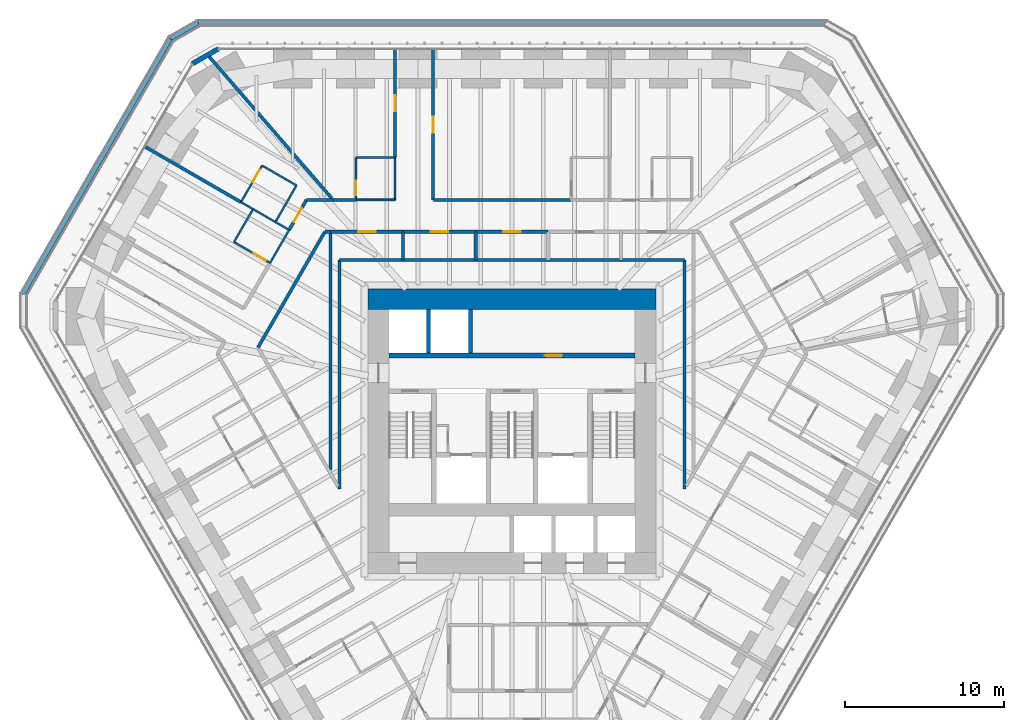
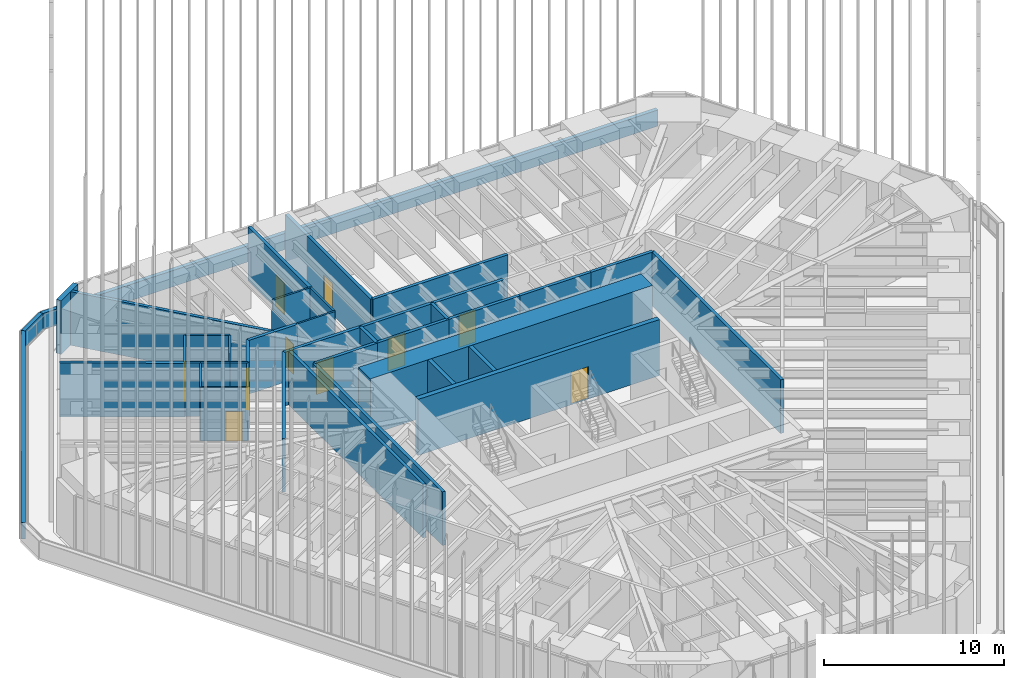
# One storey, part 233 of 238: 44 walls, 10 doors, 10 openings.
"""IFC4 building model written with IfcOpenShell, lengths in metres."""

from ifc_helpers import new_model, si_unit, direction, frame, frame_2d, origin, place, context, subcontext, project, spatial, rectangle, extrude, material, layer, layer_set, type_object, element, fill, save


model = new_model("IFC4")

# Units and contexts
model_context = context("Model", 3, precision=1e-05, world=origin(), true_north=direction((0.0, 1.0)))
body_context = subcontext(model_context, "Body", "Model", "MODEL_VIEW")
ifc_project = project(units=[si_unit("LENGTHUNIT", "METRE"), si_unit("AREAUNIT", "SQUARE_METRE"), si_unit("VOLUMEUNIT", "CUBIC_METRE"), si_unit("PLANEANGLEUNIT", "RADIAN"), si_unit("MASSUNIT", "GRAM", prefix="KILO")], contexts=[model_context])

# Site, building, storey
site_placement = place(None, origin())
site = spatial("IfcSite", under=ifc_project, at=site_placement, CompositionType="ELEMENT")
building_placement = place(site_placement, origin())
building = spatial("IfcBuilding", under=site, at=building_placement, Name="Sandreach Pilgrim Tower", CompositionType="ELEMENT")
storey_placement = place(building_placement, frame((0.0, 0.0, 96.800048828125)))
storey = spatial("IfcBuildingStorey", under=building, at=storey_placement, Name="L23", CompositionType="ELEMENT", Elevation=96.800048828125)

# Wall, opening, door
ifc_material_1 = material(Name="Moisture-resistant gypsum board on steel studs", Category="steel")
ifc_layer_1 = layer(ifc_material_1, 0.1201171875)
ifc_layer_set_1 = layer_set([ifc_layer_1], Name="Bathroom partition 120")
wall_type_1 = type_object("IfcWallType", Name="Bathroom partition 120", PredefinedType="PARTITIONING", material=ifc_layer_set_1)
wall_1_placement = place(storey_placement, frame((-17.489990234375, 10.340087890625, 0.0), z_axis=(0.0, 0.0, 1.0), x_axis=(0.866114241029, -0.499846097802, 0.0)))
wall_1 = element("IfcWall", 1, at=wall_1_placement, inside=storey, type_object=wall_type_1, Name="Bathroom partition L23-008", PredefinedType="PARTITIONING", context=body_context, shape_type="SweptSolid", body=[
    extrude(rectangle(XDim=2.620849609375, YDim=0.1201171875, at=frame_2d((1.310546875, 0.0))), origin(), (0.0, 0.0, 1.0), 3.639892578125),
])
opening_1_placement = place(wall_1_placement, frame((1.4208984375, 0.0, 0.0)))
opening_1 = element("IfcOpeningElement", 2, at=opening_1_placement, cuts=wall_1, Name="Opening D09-15B", PredefinedType="OPENING", context=body_context, shape_type="SweptSolid", body=[
    extrude(rectangle(XDim=0.89990234375, YDim=2.030029296875, at=frame_2d((0.449951171875, 1.01513671875))), frame((0.0, 0.06005859375, 0.0), z_axis=(0.0, -1.0, 0.0), x_axis=(1.0, 0.0, 0.0)), (0.0, 0.0, 1.0), 0.1201171875),
])
ifc_material_2 = material(Name="Timber door, steel frame", Category="steel")
door_type_1 = type_object("IfcDoorType", Name="Bathroom door", OperationType="SINGLE_SWING_LEFT", PredefinedType="DOOR", material=ifc_material_2)
door_1_placement = place(opening_1_placement, origin())
door_1 = element("IfcDoor", 3, at=door_1_placement, inside=storey, type_object=door_type_1, Name="Door 2315B", OperationType="SINGLE_SWING_RIGHT", OverallHeight=2.030029296875, OverallWidth=0.89990234375, PredefinedType="DOOR", context=body_context, shape_type="SweptSolid", body=[
    extrude(rectangle(XDim=0.89990234375, YDim=2.030029296875, at=frame_2d((0.449951171875, 1.01513671875))), frame((0.0, 0.02490234375, 0.0), z_axis=(0.0, -1.0, 0.0), x_axis=(1.0, 0.0, 0.0)), (0.0, 0.0, 1.0), 0.050048828125),
])
fill(opening_1, door_1)

# Walls
wall_2_placement = place(storey_placement, frame((-17.050537109375, 12.849365234375, 0.0), z_axis=(0.0, 0.0, 1.0), x_axis=(0.865838315616, -0.500323906295, 0.0)))
element("IfcWall", 4, at=wall_2_placement, inside=storey, type_object=wall_type_1, Name="Bathroom partition L23-010", PredefinedType="PARTITIONING", context=body_context, shape_type="SweptSolid", body=[
    extrude(rectangle(XDim=0.87841796875, YDim=0.1201171875, at=frame_2d((0.439208984375, 0.0))), origin(), (0.0, 0.0, 1.0), 3.639892578125),
])
wall_3_placement = place(storey_placement, frame((-16.2900390625, 12.409912109375, 0.0), z_axis=(0.0, 0.0, 1.0), x_axis=(-0.501547039172, -0.865130376012, 0.0)))
element("IfcWall", 5, at=wall_3_placement, inside=storey, type_object=wall_type_1, Name="Bathroom partition L23-015", PredefinedType="PARTITIONING", context=body_context, shape_type="SweptSolid", body=[
    extrude(rectangle(XDim=2.392578125, YDim=0.1201171875, at=frame_2d((1.1962890625, 0.0))), origin(), (0.0, 0.0, 1.0), 3.639892578125),
])
wall_4_placement = place(storey_placement, frame((-16.2900390625, 12.409912109375, 0.0), z_axis=(0.0, 0.0, 1.0), x_axis=(0.866138091645, -0.499804768086, 0.0)))
element("IfcWall", 6, at=wall_4_placement, inside=storey, type_object=wall_type_1, Name="Bathroom partition L23-016", PredefinedType="PARTITIONING", context=body_context, shape_type="SweptSolid", body=[
    extrude(rectangle(XDim=1.626220703125, YDim=0.1201171875, at=frame_2d((0.81298828125, 0.0))), origin(), (0.0, 0.0, 1.0), 3.639892578125),
])

# Wall, opening, door
wall_5_placement = place(storey_placement, frame((-15.719970703125, 15.14990234375, 0.0), z_axis=(0.0, 0.0, 1.0), x_axis=(-0.500605174168, -0.865675724273, 0.0)))
wall_5 = element("IfcWall", 7, at=wall_5_placement, inside=storey, type_object=wall_type_1, Name="Bathroom partition L23-019", PredefinedType="PARTITIONING", context=body_context, shape_type="SweptSolid", body=[
    extrude(rectangle(XDim=2.656982421875, YDim=0.1201171875, at=frame_2d((1.32861328125, 0.0))), origin(), (0.0, 0.0, 1.0), 3.639892578125),
])
opening_2_placement = place(wall_5_placement, frame((0.300048828125, 0.0, 0.0)))
opening_2 = element("IfcOpeningElement", 8, at=opening_2_placement, cuts=wall_5, Name="Opening D09-16B", PredefinedType="OPENING", context=body_context, shape_type="SweptSolid", body=[
    extrude(rectangle(XDim=0.89990234375, YDim=2.030029296875, at=frame_2d((0.449951171875, 1.01513671875))), frame((0.0, 0.06005859375, 0.0), z_axis=(0.0, -1.0, 0.0), x_axis=(1.0, 0.0, 0.0)), (0.0, 0.0, 1.0), 0.1201171875),
])
door_2_placement = place(opening_2_placement, origin())
door_2 = element("IfcDoor", 9, at=door_2_placement, inside=storey, type_object=door_type_1, Name="Door 2316B", OperationType="SINGLE_SWING_LEFT", OverallHeight=2.030029296875, OverallWidth=0.89990234375, PredefinedType="DOOR", context=body_context, shape_type="SweptSolid", body=[
    extrude(rectangle(XDim=0.89990234375, YDim=2.030029296875, at=frame_2d((0.449951171875, 1.01513671875))), frame((0.0, 0.02490234375, 0.0), z_axis=(0.0, -1.0, 0.0), x_axis=(1.0, 0.0, 0.0)), (0.0, 0.0, 1.0), 0.050048828125),
])
fill(opening_2, door_2)

# Walls
wall_6_placement = place(storey_placement, frame((-15.219970703125, 9.030029296875, 0.0), z_axis=(0.0, 0.0, 1.0), x_axis=(0.501502765098, 0.865156041763, 0.0)))
element("IfcWall", 10, at=wall_6_placement, inside=storey, type_object=wall_type_1, Name="Bathroom partition L23-022", PredefinedType="PARTITIONING", context=body_context, shape_type="SweptSolid", body=[
    extrude(rectangle(XDim=2.392822265625, YDim=0.1201171875, at=frame_2d((1.1962890625, 0.0))), origin(), (0.0, 0.0, 1.0), 3.639892578125),
])
wall_7_placement = place(storey_placement, frame((-14.881591796875, 11.59716796875, 0.0), z_axis=(0.0, 0.0, 1.0), x_axis=(0.866181499781, -0.499729536286, 0.0)))
element("IfcWall", 11, at=wall_7_placement, inside=storey, type_object=wall_type_1, Name="Bathroom partition L23-023", PredefinedType="PARTITIONING", context=body_context, shape_type="SweptSolid", body=[
    extrude(rectangle(XDim=0.99462890625, YDim=0.1201171875, at=frame_2d((0.497314453125, 0.0))), origin(), (0.0, 0.0, 1.0), 3.639892578125),
])
wall_8_placement = place(storey_placement, frame((-14.8798828125, 11.60009765625, 0.0), z_axis=(0.0, 0.0, 1.0), x_axis=(0.497704656183, 0.867346571569, 0.0)))
element("IfcWall", 12, at=wall_8_placement, inside=storey, type_object=wall_type_1, Name="Bathroom partition L23-024", PredefinedType="PARTITIONING", context=body_context, shape_type="SweptSolid", body=[
    extrude(rectangle(XDim=2.65185546875, YDim=0.1201171875, at=frame_2d((1.325927734375, 0.0))), origin(), (0.0, 0.0, 1.0), 3.639892578125),
])
wall_9_placement = place(storey_placement, frame((-13.56005859375, 13.89990234375, 0.0), z_axis=(0.0, 0.0, 1.0), x_axis=(-0.865508881864, 0.500893576935, 0.0)))
element("IfcWall", 13, at=wall_9_placement, inside=storey, type_object=wall_type_1, Name="Bathroom partition L23-027", PredefinedType="PARTITIONING", context=body_context, shape_type="SweptSolid", body=[
    extrude(rectangle(XDim=2.49560546875, YDim=0.1201171875, at=frame_2d((1.247802734375, 0.0))), origin(), (0.0, 0.0, 1.0), 3.639892578125),
])

# Wall, opening, door
wall_10_placement = place(storey_placement, frame((-9.81005859375, 15.659912109375, 0.0), z_axis=(0.0, 0.0, 1.0), x_axis=(0.0, -1.0, 0.0)))
wall_10 = element("IfcWall", 14, at=wall_10_placement, inside=storey, type_object=wall_type_1, Name="Bathroom partition L23-040", PredefinedType="PARTITIONING", context=body_context, shape_type="SweptSolid", body=[
    extrude(rectangle(XDim=2.669921875, YDim=0.1201171875, at=frame_2d((1.3349609375, 0.0))), origin(), (0.0, 0.0, 1.0), 3.0380859375),
])
opening_3_placement = place(wall_10_placement, frame((1.469970703125, 0.0, 0.0)))
opening_3 = element("IfcOpeningElement", 15, at=opening_3_placement, cuts=wall_10, Name="Opening D09-01B", PredefinedType="OPENING", context=body_context, shape_type="SweptSolid", body=[
    extrude(rectangle(XDim=0.89990234375, YDim=2.030029296875, at=frame_2d((0.449951171875, 1.01513671875))), frame((0.0, 0.06005859375, 0.0), z_axis=(0.0, -1.0, 0.0), x_axis=(1.0, 0.0, 0.0)), (0.0, 0.0, 1.0), 0.1201171875),
])
door_3_placement = place(opening_3_placement, origin())
door_3 = element("IfcDoor", 16, at=door_3_placement, inside=storey, type_object=door_type_1, Name="Door 2301B", OperationType="SINGLE_SWING_RIGHT", OverallHeight=2.030029296875, OverallWidth=0.89990234375, PredefinedType="DOOR", context=body_context, shape_type="SweptSolid", body=[
    extrude(rectangle(XDim=0.89990234375, YDim=2.030029296875, at=frame_2d((0.449951171875, 1.01513671875))), frame((0.0, 0.02490234375, 0.0), z_axis=(0.0, -1.0, 0.0), x_axis=(1.0, 0.0, 0.0)), (0.0, 0.0, 1.0), 0.050048828125),
])
fill(opening_3, door_3)

# Walls
for number, where, z_axis, x_axis, name in (
    (17, (-7.360107421875, 12.989990234375, 0.0), (0.0, 0.0, 1.0), (-1.0, 0.0, 0.0), "Bathroom partition L23-045"),
    (18, (-7.360107421875, 15.659912109375, 0.0), (0.0, 0.0, 1.0), (-1.0, 0.0, 0.0), "Bathroom partition L23-046"),
):
    element("IfcWall", number, at=place(storey_placement, frame(where, z_axis=z_axis, x_axis=x_axis)), inside=storey, type_object=wall_type_1, Name=name, PredefinedType="PARTITIONING", context=body_context, shape_type="SweptSolid", body=[
        extrude(rectangle(XDim=2.449951171875, YDim=0.1201171875, at=frame_2d((1.22509765625, 0.0))), origin(), (0.0, 0.0, 1.0), 3.639892578125),
    ])
wall_11_placement = place(storey_placement, frame((-7.360107421875, 15.659912109375, 0.0), z_axis=(0.0, 0.0, 1.0), x_axis=(0.0, -1.0, 0.0)))
element("IfcWall", 19, at=wall_11_placement, inside=storey, type_object=wall_type_1, Name="Bathroom partition L23-047", PredefinedType="PARTITIONING", context=body_context, shape_type="SweptSolid", body=[
    extrude(rectangle(XDim=2.669921875, YDim=0.1201171875, at=frame_2d((1.3349609375, 0.0))), origin(), (0.0, 0.0, 1.0), 3.639892578125),
])

# Wall, opening, door
ifc_material_3 = material(Name="Concrete 10000 psi", Category="concrete")
ifc_layer_2 = layer(ifc_material_3, 0.300048828125)
ifc_layer_set_2 = layer_set([ifc_layer_2], Name="Core inner wall 300")
wall_type_2 = type_object("IfcWallType", Name="Core inner wall 300", PredefinedType="SHEAR", material=ifc_layer_set_2)
wall_12_placement = place(storey_placement, frame((-7.75, 3.199951171875, 0.0), z_axis=(0.0, 0.0, 1.0), x_axis=(1.0, 0.0, 0.0)))
wall_12 = element("IfcWall", 20, at=wall_12_placement, inside=storey, type_object=wall_type_2, Name="Core wall PN L23", PredefinedType="SHEAR", context=body_context, shape_type="SweptSolid", body=[
    extrude(rectangle(XDim=15.5, YDim=0.300048828125, at=frame_2d((7.75, 0.0))), origin(), (0.0, 0.0, 1.0), 3.800048828125),
])
opening_4_placement = place(wall_12_placement, frame((9.824951171875, 0.0, 0.0)))
opening_4 = element("IfcOpeningElement", 21, at=opening_4_placement, cuts=wall_12, Name="Opening D11L", PredefinedType="OPENING", context=body_context, shape_type="SweptSolid", body=[
    extrude(rectangle(XDim=1.10009765625, YDim=2.199951171875, at=frame_2d((0.550048828125, 1.10009765625))), frame((0.0, 0.14990234375, 0.0), z_axis=(0.0, -1.0, 0.0), x_axis=(1.0, 0.0, 0.0)), (0.0, 0.0, 1.0), 0.300048828125),
])
ifc_material_4 = material(Name="Steel door and frame, smoke seals", Category="steel")
door_type_2 = type_object("IfcDoorType", Name="Core room door", OperationType="SINGLE_SWING_LEFT", PredefinedType="DOOR", material=ifc_material_4)
door_4_placement = place(opening_4_placement, origin())
door_4 = element("IfcDoor", 22, at=door_4_placement, inside=storey, type_object=door_type_2, Name="Door linen and housekeeping store 23K1", OperationType="SINGLE_SWING_RIGHT", OverallHeight=2.199951171875, OverallWidth=1.10009765625, PredefinedType="DOOR", context=body_context, shape_type="SweptSolid", body=[
    extrude(rectangle(XDim=1.10009765625, YDim=2.199951171875, at=frame_2d((0.550048828125, 1.10009765625))), frame((0.0, 0.02490234375, 0.0), z_axis=(0.0, -1.0, 0.0), x_axis=(1.0, 0.0, 0.0)), (0.0, 0.0, 1.0), 0.050048828125),
])
fill(opening_4, door_4)

# Walls
ifc_material_5 = material(Name="Concrete 10000 psi", Category="concrete")
ifc_layer_3 = layer(ifc_material_5, 1.300048828125)
ifc_layer_set_3 = layer_set([ifc_layer_3], Name="Core wall 1300")
wall_type_3 = type_object("IfcWallType", Name="Core wall 1300", PredefinedType="SHEAR", material=ifc_layer_set_3)
wall_13_placement = place(storey_placement, frame((-9.050048828125, 6.75, 0.0), z_axis=(0.0, 0.0, 1.0), x_axis=(1.0, 0.0, 0.0)))
element("IfcWall", 23, at=wall_13_placement, inside=storey, type_object=wall_type_3, Name="Core wall N L23", PredefinedType="SHEAR", context=body_context, shape_type="SweptSolid", body=[
    extrude(rectangle(XDim=18.10009765625, YDim=1.300048828125, at=frame_2d((9.050048828125, 0.0))), origin(), (0.0, 0.0, 1.0), 3.800048828125),
])
ifc_material_6 = material(Name="Gypsum board on steel studs, two layers each side", Category="steel")
ifc_layer_4 = layer(ifc_material_6, 0.199951171875)
ifc_layer_set_4 = layer_set([ifc_layer_4], Name="Corridor wall 200")
wall_type_4 = type_object("IfcWallType", Name="Corridor wall 200", PredefinedType="PARTITIONING", material=ifc_layer_set_4)
wall_14_placement = place(storey_placement, frame((-15.97998046875, 3.699951171875, 0.0), z_axis=(0.0, 0.0, 1.0), x_axis=(0.500093981358, 0.865971136822, 0.0)))
element("IfcWall", 24, at=wall_14_placement, inside=storey, type_object=wall_type_4, Name="Corridor wall L23-017", PredefinedType="PARTITIONING", context=body_context, shape_type="SweptSolid", body=[
    extrude(rectangle(XDim=8.41845703125, YDim=0.199951171875, at=frame_2d((4.209228515625, 0.0))), origin(), (0.0, 0.0, 1.0), 3.639892578125),
])

# Wall, opening, door
wall_15_placement = place(storey_placement, frame((-14.02001953125, 11.10009765625, 0.0), z_axis=(0.0, 0.0, 1.0), x_axis=(0.499641723021, 0.866232156305, 0.0)))
wall_15 = element("IfcWall", 25, at=wall_15_placement, inside=storey, type_object=wall_type_4, Name="Corridor wall L23-026", PredefinedType="PARTITIONING", context=body_context, shape_type="SweptSolid", body=[
    extrude(rectangle(XDim=2.181640625, YDim=0.199951171875, at=frame_2d((1.0908203125, 0.0))), origin(), (0.0, 0.0, 1.0), 3.639892578125),
])
opening_5_placement = place(wall_15_placement, frame((0.5908203125, 0.0, 0.0)))
opening_5 = element("IfcOpeningElement", 26, at=opening_5_placement, cuts=wall_15, Name="Opening D10-16", PredefinedType="OPENING", context=body_context, shape_type="SweptSolid", body=[
    extrude(rectangle(XDim=1.0, YDim=2.1298828125, at=frame_2d((0.5, 1.06494140625))), frame((0.0, 0.10009765625, 0.0), z_axis=(0.0, -1.0, 0.0), x_axis=(1.0, 0.0, 0.0)), (0.0, 0.0, 1.0), 0.199951171875),
])
ifc_material_7 = material(Name="Steel door and frame", Category="steel")
door_type_3 = type_object("IfcDoorType", Name="Guest room entry door", OperationType="SINGLE_SWING_LEFT", PredefinedType="DOOR", material=ifc_material_7)
door_5_placement = place(opening_5_placement, origin())
door_5 = element("IfcDoor", 27, at=door_5_placement, inside=storey, type_object=door_type_3, Name="Door 2316", OperationType="SINGLE_SWING_LEFT", OverallHeight=2.1298828125, OverallWidth=1.0, PredefinedType="DOOR", context=body_context, shape_type="SweptSolid", body=[
    extrude(rectangle(XDim=1.0, YDim=2.1298828125, at=frame_2d((0.5, 1.06494140625))), frame((0.0, 0.02490234375, 0.0), z_axis=(0.0, -1.0, 0.0), x_axis=(1.0, 0.0, 0.0)), (0.0, 0.0, 1.0), 0.050048828125),
])
fill(opening_5, door_5)

# Wall
wall_16_placement = place(storey_placement, frame((-11.77001953125, 10.989990234375, 0.0), z_axis=(0.0, 0.0, 1.0), x_axis=(1.0, 0.0, 0.0)))
element("IfcWall", 28, at=wall_16_placement, inside=storey, type_object=wall_type_4, Name="Corridor wall L23-028", PredefinedType="PARTITIONING", context=body_context, shape_type="SweptSolid", body=[
    extrude(rectangle(XDim=0.35009765625, YDim=0.199951171875, at=frame_2d((0.175048828125, 0.0))), origin(), (0.0, 0.0, 1.0), 3.639892578125),
])

# Wall, opening, door
wall_17_placement = place(storey_placement, frame((-11.419921875, 10.989990234375, 0.0), z_axis=(0.0, 0.0, 1.0), x_axis=(1.0, 0.0, 0.0)))
wall_17 = element("IfcWall", 29, at=wall_17_placement, inside=storey, type_object=wall_type_4, Name="Corridor wall L23-031", PredefinedType="PARTITIONING", context=body_context, shape_type="SweptSolid", body=[
    extrude(rectangle(XDim=4.56982421875, YDim=0.199951171875, at=frame_2d((2.284912109375, 0.0))), origin(), (0.0, 0.0, 1.0), 3.639892578125),
])
opening_6_placement = place(wall_17_placement, frame((1.735107421875, 0.0, 0.0)))
opening_6 = element("IfcOpeningElement", 30, at=opening_6_placement, cuts=wall_17, Name="Opening D11H-M02", PredefinedType="OPENING", context=body_context, shape_type="SweptSolid", body=[
    extrude(rectangle(XDim=1.10009765625, YDim=2.199951171875, at=frame_2d((0.550048828125, 1.10009765625))), frame((0.0, 0.10009765625, 0.0), z_axis=(0.0, -1.0, 0.0), x_axis=(1.0, 0.0, 0.0)), (0.0, 0.0, 1.0), 0.199951171875),
])
ifc_material_8 = material(Name="Steel door and frame", Category="steel")
door_type_4 = type_object("IfcDoorType", Name="Back of house door", OperationType="SINGLE_SWING_LEFT", PredefinedType="DOOR", material=ifc_material_8)
door_6_placement = place(opening_6_placement, origin())
door_6 = element("IfcDoor", 31, at=door_6_placement, inside=storey, type_object=door_type_4, Name="Door 23M02", OperationType="SINGLE_SWING_LEFT", OverallHeight=2.199951171875, OverallWidth=1.10009765625, PredefinedType="DOOR", context=body_context, shape_type="SweptSolid", body=[
    extrude(rectangle(XDim=1.10009765625, YDim=2.199951171875, at=frame_2d((0.550048828125, 1.10009765625))), frame((0.0, 0.02490234375, 0.0), z_axis=(0.0, -1.0, 0.0), x_axis=(1.0, 0.0, 0.0)), (0.0, 0.0, 1.0), 0.050048828125),
])
fill(opening_6, door_6)

# Walls
wall_18_placement = place(storey_placement, frame((-11.25, 12.989990234375, 0.0), z_axis=(0.0, 0.0, 1.0), x_axis=(-1.0, 0.0, 0.0)))
element("IfcWall", 32, at=wall_18_placement, inside=storey, type_object=wall_type_4, Name="Corridor wall L23-033", PredefinedType="PARTITIONING", context=body_context, shape_type="SweptSolid", body=[
    extrude(rectangle(XDim=1.679931640625, YDim=0.199951171875, at=frame_2d((0.83984375, 0.0))), origin(), (0.0, 0.0, 1.0), 3.639892578125),
])
wall_19_placement = place(storey_placement, frame((-10.85009765625, 9.199951171875, 0.0), z_axis=(0.0, 0.0, 1.0), x_axis=(0.0, -1.0, 0.0)))
element("IfcWall", 33, at=wall_19_placement, inside=storey, type_object=wall_type_4, Name="Corridor wall L23-035", PredefinedType="PARTITIONING", context=body_context, shape_type="SweptSolid", body=[
    extrude(rectangle(XDim=14.389892578125, YDim=0.199951171875, at=frame_2d((7.19482421875, 0.0))), origin(), (0.0, 0.0, 1.0), 3.639892578125),
])
wall_20_placement = place(storey_placement, frame((-9.81005859375, 12.989990234375, 0.0), z_axis=(0.0, 0.0, 1.0), x_axis=(-1.0, 0.0, 0.0)))
element("IfcWall", 34, at=wall_20_placement, inside=storey, type_object=wall_type_4, Name="Corridor wall L23-039", PredefinedType="PARTITIONING", context=body_context, shape_type="SweptSolid", body=[
    extrude(rectangle(XDim=1.43994140625, YDim=0.199951171875, at=frame_2d((0.719970703125, 0.0))), origin(), (0.0, 0.0, 1.0), 3.639892578125),
])

# Wall, opening, door
wall_21_placement = place(storey_placement, frame((-7.360107421875, 22.4599609375, 0.0), z_axis=(0.0, 0.0, 1.0), x_axis=(0.0, -1.0, 0.0)))
wall_21 = element("IfcWall", 35, at=wall_21_placement, inside=storey, type_object=wall_type_4, Name="Corridor wall L23-048", PredefinedType="PARTITIONING", context=body_context, shape_type="SweptSolid", body=[
    extrude(rectangle(XDim=6.800048828125, YDim=0.199951171875, at=frame_2d((3.39990234375, 0.0))), origin(), (0.0, 0.0, 1.0), 3.639892578125),
])
opening_7_placement = place(wall_21_placement, frame((2.89990234375, 0.0, 0.0)))
opening_7 = element("IfcOpeningElement", 36, at=opening_7_placement, cuts=wall_21, Name="Opening D10-01", PredefinedType="OPENING", context=body_context, shape_type="SweptSolid", body=[
    extrude(rectangle(XDim=1.0, YDim=2.1298828125, at=frame_2d((0.5, 1.06494140625))), frame((0.0, 0.10009765625, 0.0), z_axis=(0.0, -1.0, 0.0), x_axis=(1.0, 0.0, 0.0)), (0.0, 0.0, 1.0), 0.199951171875),
])
door_7_placement = place(opening_7_placement, origin())
door_7 = element("IfcDoor", 37, at=door_7_placement, inside=storey, type_object=door_type_3, Name="Door 2301", OperationType="SINGLE_SWING_LEFT", OverallHeight=2.1298828125, OverallWidth=1.0, PredefinedType="DOOR", context=body_context, shape_type="SweptSolid", body=[
    extrude(rectangle(XDim=1.0, YDim=2.1298828125, at=frame_2d((0.5, 1.06494140625))), frame((0.0, 0.02490234375, 0.0), z_axis=(0.0, -1.0, 0.0), x_axis=(1.0, 0.0, 0.0)), (0.0, 0.0, 1.0), 0.050048828125),
])
fill(opening_7, door_7)

# Wall
wall_22_placement = place(storey_placement, frame((-6.85009765625, 9.199951171875, 0.0), z_axis=(0.0, 0.0, 1.0), x_axis=(-1.0, 0.0, 0.0)))
element("IfcWall", 38, at=wall_22_placement, inside=storey, type_object=wall_type_4, Name="Corridor wall L23-049", PredefinedType="PARTITIONING", context=body_context, shape_type="SweptSolid", body=[
    extrude(rectangle(XDim=3.989990234375, YDim=0.199951171875, at=frame_2d((1.9951171875, 0.0))), origin(), (0.0, 0.0, 1.0), 3.639892578125),
])

# Wall, opening, door
wall_23_placement = place(storey_placement, frame((-6.85009765625, 10.989990234375, 0.0), z_axis=(0.0, 0.0, 1.0), x_axis=(1.0, 0.0, 0.0)))
wall_23 = element("IfcWall", 39, at=wall_23_placement, inside=storey, type_object=wall_type_4, Name="Corridor wall L23-051", PredefinedType="PARTITIONING", context=body_context, shape_type="SweptSolid", body=[
    extrude(rectangle(XDim=4.570068359375, YDim=0.199951171875, at=frame_2d((2.28515625, 0.0))), origin(), (0.0, 0.0, 1.0), 3.639892578125),
])
opening_8_placement = place(wall_23_placement, frame((1.735107421875, 0.0, 0.0)))
opening_8 = element("IfcOpeningElement", 40, at=opening_8_placement, cuts=wall_23, Name="Opening D11H-M03", PredefinedType="OPENING", context=body_context, shape_type="SweptSolid", body=[
    extrude(rectangle(XDim=1.10009765625, YDim=2.199951171875, at=frame_2d((0.550048828125, 1.10009765625))), frame((0.0, 0.10009765625, 0.0), z_axis=(0.0, -1.0, 0.0), x_axis=(1.0, 0.0, 0.0)), (0.0, 0.0, 1.0), 0.199951171875),
])
door_8_placement = place(opening_8_placement, origin())
door_8 = element("IfcDoor", 41, at=door_8_placement, inside=storey, type_object=door_type_4, Name="Door 23M03", OperationType="SINGLE_SWING_LEFT", OverallHeight=2.199951171875, OverallWidth=1.10009765625, PredefinedType="DOOR", context=body_context, shape_type="SweptSolid", body=[
    extrude(rectangle(XDim=1.10009765625, YDim=2.199951171875, at=frame_2d((0.550048828125, 1.10009765625))), frame((0.0, 0.02490234375, 0.0), z_axis=(0.0, -1.0, 0.0), x_axis=(1.0, 0.0, 0.0)), (0.0, 0.0, 1.0), 0.050048828125),
])
fill(opening_8, door_8)

wall_24_placement = place(storey_placement, frame((-4.9599609375, 12.989990234375, 0.0), z_axis=(0.0, 0.0, 1.0), x_axis=(0.0, 1.0, 0.0)))
wall_24 = element("IfcWall", 42, at=wall_24_placement, inside=storey, type_object=wall_type_4, Name="Corridor wall L23-056", PredefinedType="PARTITIONING", context=body_context, shape_type="SweptSolid", body=[
    extrude(rectangle(XDim=9.469970703125, YDim=0.199951171875, at=frame_2d((4.73486328125, 0.0))), origin(), (0.0, 0.0, 1.0), 3.639892578125),
])
opening_9_placement = place(wall_24_placement, frame((4.235107421875, 0.0, 0.0)))
opening_9 = element("IfcOpeningElement", 43, at=opening_9_placement, cuts=wall_24, Name="Opening D10-02", PredefinedType="OPENING", context=body_context, shape_type="SweptSolid", body=[
    extrude(rectangle(XDim=1.0, YDim=2.1298828125, at=frame_2d((0.5, 1.06494140625))), frame((0.0, 0.10009765625, 0.0), z_axis=(0.0, -1.0, 0.0), x_axis=(1.0, 0.0, 0.0)), (0.0, 0.0, 1.0), 0.199951171875),
])
door_9_placement = place(opening_9_placement, origin())
door_9 = element("IfcDoor", 44, at=door_9_placement, inside=storey, type_object=door_type_3, Name="Door 2302", OperationType="SINGLE_SWING_LEFT", OverallHeight=2.1298828125, OverallWidth=1.0, PredefinedType="DOOR", context=body_context, shape_type="SweptSolid", body=[
    extrude(rectangle(XDim=1.0, YDim=2.1298828125, at=frame_2d((0.5, 1.06494140625))), frame((0.0, 0.02490234375, 0.0), z_axis=(0.0, -1.0, 0.0), x_axis=(1.0, 0.0, 0.0)), (0.0, 0.0, 1.0), 0.050048828125),
])
fill(opening_9, door_9)

# Wall
wall_25_placement = place(storey_placement, frame((-2.280029296875, 9.199951171875, 0.0), z_axis=(0.0, 0.0, 1.0), x_axis=(-1.0, 0.0, 0.0)))
element("IfcWall", 45, at=wall_25_placement, inside=storey, type_object=wall_type_4, Name="Corridor wall L23-067", PredefinedType="PARTITIONING", context=body_context, shape_type="SweptSolid", body=[
    extrude(rectangle(XDim=4.570068359375, YDim=0.199951171875, at=frame_2d((2.28515625, 0.0))), origin(), (0.0, 0.0, 1.0), 3.639892578125),
])

# Wall, opening, door
wall_26_placement = place(storey_placement, frame((-2.280029296875, 10.989990234375, 0.0), z_axis=(0.0, 0.0, 1.0), x_axis=(1.0, 0.0, 0.0)))
wall_26 = element("IfcWall", 46, at=wall_26_placement, inside=storey, type_object=wall_type_4, Name="Corridor wall L23-069", PredefinedType="PARTITIONING", context=body_context, shape_type="SweptSolid", body=[
    extrude(rectangle(XDim=4.56005859375, YDim=0.199951171875, at=frame_2d((2.280029296875, 0.0))), origin(), (0.0, 0.0, 1.0), 3.639892578125),
])
opening_10_placement = place(wall_26_placement, frame((1.72998046875, 0.0, 0.0)))
opening_10 = element("IfcOpeningElement", 47, at=opening_10_placement, cuts=wall_26, Name="Opening D11H-M04", PredefinedType="OPENING", context=body_context, shape_type="SweptSolid", body=[
    extrude(rectangle(XDim=1.10009765625, YDim=2.199951171875, at=frame_2d((0.550048828125, 1.10009765625))), frame((0.0, 0.10009765625, 0.0), z_axis=(0.0, -1.0, 0.0), x_axis=(1.0, 0.0, 0.0)), (0.0, 0.0, 1.0), 0.199951171875),
])
door_10_placement = place(opening_10_placement, origin())
door_10 = element("IfcDoor", 48, at=door_10_placement, inside=storey, type_object=door_type_4, Name="Door 23M04", OperationType="SINGLE_SWING_LEFT", OverallHeight=2.199951171875, OverallWidth=1.10009765625, PredefinedType="DOOR", context=body_context, shape_type="SweptSolid", body=[
    extrude(rectangle(XDim=1.10009765625, YDim=2.199951171875, at=frame_2d((0.550048828125, 1.10009765625))), frame((0.0, 0.02490234375, 0.0), z_axis=(0.0, -1.0, 0.0), x_axis=(1.0, 0.0, 0.0)), (0.0, 0.0, 1.0), 0.050048828125),
])
fill(opening_10, door_10)

# Walls
wall_27_placement = place(storey_placement, frame((2.280029296875, 9.199951171875, 0.0), z_axis=(0.0, 0.0, 1.0), x_axis=(-1.0, 0.0, 0.0)))
element("IfcWall", 49, at=wall_27_placement, inside=storey, type_object=wall_type_4, Name="Corridor wall L23-077", PredefinedType="PARTITIONING", context=body_context, shape_type="SweptSolid", body=[
    extrude(rectangle(XDim=4.56005859375, YDim=0.199951171875, at=frame_2d((2.280029296875, 0.0))), origin(), (0.0, 0.0, 1.0), 3.639892578125),
])
wall_28_placement = place(storey_placement, frame((3.7099609375, 12.989990234375, 0.0), z_axis=(0.0, 0.0, 1.0), x_axis=(-1.0, 0.0, 0.0)))
element("IfcWall", 50, at=wall_28_placement, inside=storey, type_object=wall_type_4, Name="Corridor wall L23-080", PredefinedType="PARTITIONING", context=body_context, shape_type="SweptSolid", body=[
    extrude(rectangle(XDim=8.659912109375, YDim=0.199951171875, at=frame_2d((4.330078125, 0.0))), origin(), (0.0, 0.0, 1.0), 3.639892578125),
])
wall_29_placement = place(storey_placement, frame((6.85009765625, 9.199951171875, 0.0), z_axis=(0.0, 0.0, 1.0), x_axis=(-1.0, 0.0, 0.0)))
element("IfcWall", 51, at=wall_29_placement, inside=storey, type_object=wall_type_4, Name="Corridor wall L23-094", PredefinedType="PARTITIONING", context=body_context, shape_type="SweptSolid", body=[
    extrude(rectangle(XDim=4.570068359375, YDim=0.199951171875, at=frame_2d((2.28515625, 0.0))), origin(), (0.0, 0.0, 1.0), 3.639892578125),
])
wall_30_placement = place(storey_placement, frame((10.840087890625, 9.199951171875, 0.0), z_axis=(0.0, 0.0, 1.0), x_axis=(-1.0, 0.0, 0.0)))
element("IfcWall", 52, at=wall_30_placement, inside=storey, type_object=wall_type_4, Name="Corridor wall L23-107", PredefinedType="PARTITIONING", context=body_context, shape_type="SweptSolid", body=[
    extrude(rectangle(XDim=3.989990234375, YDim=0.199951171875, at=frame_2d((1.9951171875, 0.0))), origin(), (0.0, 0.0, 1.0), 3.639892578125),
])
wall_31_placement = place(storey_placement, frame((10.85009765625, -5.18994140625, 0.0), z_axis=(0.0, 0.0, 1.0), x_axis=(0.0, 1.0, 0.0)))
element("IfcWall", 53, at=wall_31_placement, inside=storey, type_object=wall_type_4, Name="Corridor wall L23-108", PredefinedType="PARTITIONING", context=body_context, shape_type="SweptSolid", body=[
    extrude(rectangle(XDim=14.389892578125, YDim=0.199951171875, at=frame_2d((7.19482421875, 0.0))), origin(), (0.0, 0.0, 1.0), 3.639892578125),
])
ifc_material_9 = material(Name="Double steel stud acoustic wall, gypsum board", Category="steel")
ifc_layer_5 = layer(ifc_material_9, 0.199951171875)
ifc_layer_set_5 = layer_set([ifc_layer_5], Name="Party wall 200")
wall_type_5 = type_object("IfcWallType", Name="Party wall 200", PredefinedType="PARTITIONING", material=ifc_layer_set_5)
wall_32_placement = place(storey_placement, frame((-23.083984375, 16.3349609375, 0.0), z_axis=(0.0, 0.0, 1.0), x_axis=(0.865889693368, -0.500234983702, 0.0)))
element("IfcWall", 54, at=wall_32_placement, inside=storey, type_object=wall_type_5, Name="Party wall L23-002", PredefinedType="PARTITIONING", context=body_context, shape_type="SweptSolid", body=[
    extrude(rectangle(XDim=6.968017578125, YDim=0.199951171875, at=frame_2d((3.48388671875, 0.0))), origin(), (0.0, 0.0, 1.0), 3.639892578125),
])
wall_33_placement = place(storey_placement, frame((-11.419921875, 10.97998046875, 0.0), z_axis=(0.0, 0.0, 1.0), x_axis=(0.0, -1.0, 0.0)))
element("IfcWall", 55, at=wall_33_placement, inside=storey, type_object=wall_type_5, Name="Party wall L23-030", PredefinedType="PARTITIONING", context=body_context, shape_type="SweptSolid", body=[
    extrude(rectangle(XDim=14.994873046875, YDim=0.199951171875, at=frame_2d((7.49755859375, 0.0))), origin(), (0.0, 0.0, 1.0), 3.639892578125),
])
wall_34_placement = place(storey_placement, frame((-11.335205078125, 13.08837890625, 0.0), z_axis=(0.0, 0.0, 1.0), x_axis=(-0.654526953183, 0.75603866803, 0.0)))
element("IfcWall", 56, at=wall_34_placement, inside=storey, type_object=wall_type_5, Name="Party wall L23-032", PredefinedType="PARTITIONING", context=body_context, shape_type="SweptSolid", body=[
    extrude(rectangle(XDim=11.95556640625, YDim=0.199951171875, at=frame_2d((5.977783203125, 0.0))), origin(), (0.0, 0.0, 1.0), 3.639892578125),
])
for number, where, z_axis, x_axis, name in (
    (57, (-6.85009765625, 10.97998046875, 0.0), (0.0, 0.0, 1.0), (0.0, -1.0, 0.0), "Party wall L23-050"),
    (58, (-2.280029296875, 10.97998046875, 0.0), (0.0, 0.0, 1.0), (0.0, -1.0, 0.0), "Party wall L23-068"),
):
    element("IfcWall", number, at=place(storey_placement, frame(where, z_axis=z_axis, x_axis=x_axis)), inside=storey, type_object=wall_type_5, Name=name, PredefinedType="PARTITIONING", context=body_context, shape_type="SweptSolid", body=[
        extrude(rectangle(XDim=1.77001953125, YDim=0.199951171875, at=frame_2d((0.885009765625, 0.0))), origin(), (0.0, 0.0, 1.0), 3.639892578125),
    ])
ifc_material_10 = material(Name="Concrete parapet with terracotta coping", Category="masonry")
ifc_layer_6 = layer(ifc_material_10, 0.25)
ifc_layer_set_6 = layer_set([ifc_layer_6], Name="Setback parapet")
wall_type_6 = type_object("IfcWallType", Name="Setback parapet", PredefinedType="PARAPET", material=ifc_layer_set_6)
wall_35_placement = place(storey_placement, frame((-19.750244140625, 24.132568359375, 0.0), z_axis=(0.0, 0.0, 1.0), x_axis=(-0.866479413317, -0.499212806625, 0.0)))
element("IfcWall", 59, at=wall_35_placement, inside=storey, type_object=wall_type_6, Name="Setback parapet L23 1", PredefinedType="PARAPET", context=body_context, shape_type="SweptSolid", body=[
    extrude(rectangle(XDim=1.990966796875, YDim=0.25, at=frame_2d((0.99560546875, 0.0))), origin(), (0.0, 0.0, 1.0), 1.099853515625),
])
wall_36_placement = place(storey_placement, frame((-21.475341796875, 23.138671875, 0.0), z_axis=(0.0, 0.0, 1.0), x_axis=(-0.499999656836, -0.86602560191, 0.0)))
element("IfcWall", 60, at=wall_36_placement, inside=storey, type_object=wall_type_6, Name="Setback parapet L23 2", PredefinedType="PARAPET", context=body_context, shape_type="SweptSolid", body=[
    extrude(rectangle(XDim=18.60205078125, YDim=0.25, at=frame_2d((9.301025390625, 0.0))), origin(), (0.0, 0.0, 1.0), 1.099853515625),
])
wall_37_placement = place(storey_placement, frame((19.750244140625, 24.132568359375, 0.0), z_axis=(0.0, 0.0, 1.0), x_axis=(-1.0, 0.0, 0.0)))
element("IfcWall", 61, at=wall_37_placement, inside=storey, type_object=wall_type_6, Name="Setback parapet L23 12", PredefinedType="PARAPET", context=body_context, shape_type="SweptSolid", body=[
    extrude(rectangle(XDim=39.50048828125, YDim=0.25, at=frame_2d((19.750244140625, 0.0))), origin(), (0.0, 0.0, 1.0), 1.099853515625),
])
ifc_material_11 = material(Name="Gypsum shaft wall on steel studs, two layers of shaft liner board", Category="steel")
ifc_layer_7 = layer(ifc_material_11, 0.25)
ifc_layer_set_7 = layer_set([ifc_layer_7], Name="Shaft partition 250")
wall_type_7 = type_object("IfcWallType", Name="Shaft partition 250", PredefinedType="PARTITIONING", material=ifc_layer_set_7)
for number, where, z_axis, x_axis, name in (
    (62, (-5.25, 3.35009765625, 0.0), (0.0, 0.0, 1.0), (0.0, 1.0, 0.0), "Shaft partition NS0 L23"),
    (63, (-2.625, 3.35009765625, 0.0), (0.0, 0.0, 1.0), (0.0, 1.0, 0.0), "Shaft partition NS1 L23"),
):
    element("IfcWall", number, at=place(storey_placement, frame(where, z_axis=z_axis, x_axis=x_axis)), inside=storey, type_object=wall_type_7, Name=name, PredefinedType="PARTITIONING", context=body_context, shape_type="SweptSolid", body=[
        extrude(rectangle(XDim=2.75, YDim=0.25, at=frame_2d((1.375, 0.0))), origin(), (0.0, 0.0, 1.0), 3.800048828125),
    ])
ifc_material_12 = material(Name="Terracotta rainscreen on concrete", Category="masonry")
ifc_layer_8 = layer(ifc_material_12, 0.300048828125)
ifc_layer_set_8 = layer_set([ifc_layer_8], Name="Terracotta chamfer pier")
wall_type_8 = type_object("IfcWallType", Name="Terracotta chamfer pier", PredefinedType="SOLIDWALL", material=ifc_layer_set_8)
wall_38_placement = place(storey_placement, frame((-20.109619140625, 21.5537109375, 0.0), z_axis=(0.0, 0.0, 1.0), x_axis=(0.865988793993, 0.500063404658, 0.0)))
element("IfcWall", 64, at=wall_38_placement, inside=storey, type_object=wall_type_8, Name="Chamfer pier L23 NW", PredefinedType="SOLIDWALL", context=body_context, shape_type="SweptSolid", body=[
    extrude(rectangle(XDim=1.880126953125, YDim=0.300048828125, at=frame_2d((0.93994140625, 0.0))), origin(), (0.0, 0.0, 1.0), 3.639892578125),
])

save(model, "model.ifc")
